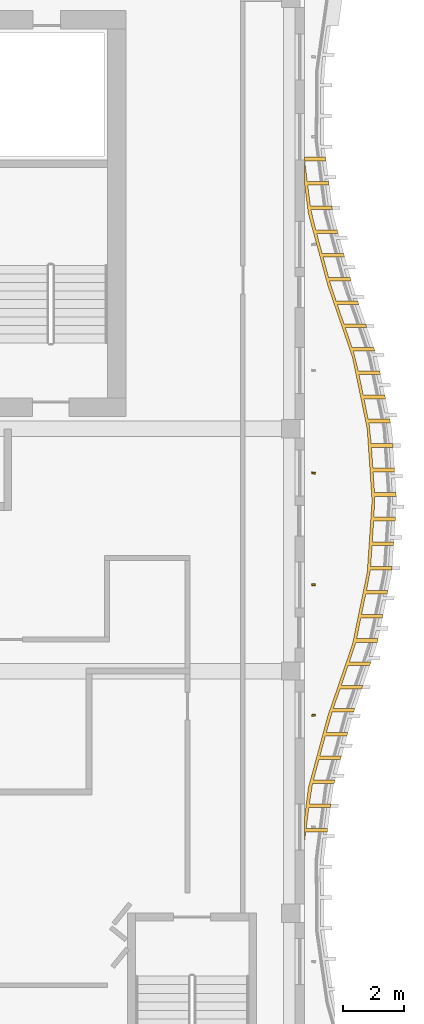
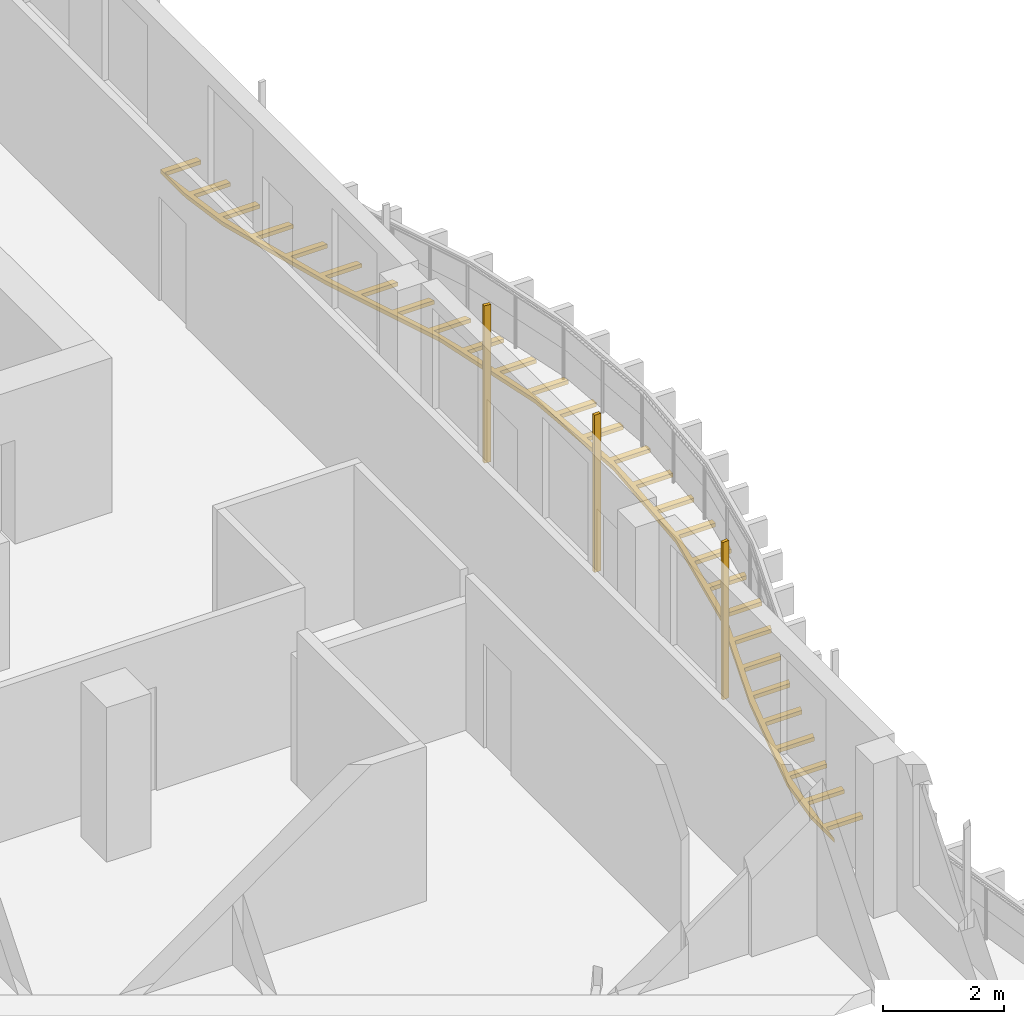
# One storey, part 15 of 17: 4 shading devices.
"""IFC4 building model written with IfcOpenShell, lengths in metres."""

from ifc_helpers import new_model, si_unit, direction, frame, origin, origin_2d, place, context, subcontext, project, spatial, polyline, rectangle, outline, extrude, source, transform, mapped, material, layer, layer_set, material_profile, profile_set, type_object, element, save


model = new_model("IFC4")

# Units and contexts
model_context = context("Model", 3, precision=1e-05, world=origin(), true_north=direction((0.0, 1.0)))
body_context = subcontext(model_context, "Body", "Model", "MODEL_VIEW")
ifc_project = project(units=[si_unit("LENGTHUNIT", "METRE"), si_unit("AREAUNIT", "SQUARE_METRE"), si_unit("VOLUMEUNIT", "CUBIC_METRE"), si_unit("PLANEANGLEUNIT", "RADIAN"), si_unit("MASSUNIT", "GRAM", prefix="KILO")], contexts=[model_context])

# Site, building, storey
site_placement = place(None, origin())
site = spatial("IfcSite", under=ifc_project, at=site_placement, CompositionType="ELEMENT")
building_placement = place(site_placement, origin())
building = spatial("IfcBuilding", under=site, at=building_placement, Name="Kilnfold Tower and Market Hall", CompositionType="ELEMENT")
storey_placement = place(building_placement, frame((0.0, 0.0, 305.199951171875)))
storey = spatial("IfcBuildingStorey", under=building, at=storey_placement, Name="L76", CompositionType="ELEMENT", Elevation=305.199951171875)

# Shading devices
ifc_material_1 = material(Name="Terracotta", Category="masonry")
ifc_material_profile = material_profile(ifc_material_1, rectangle(XDim=0.06005859375, YDim=0.1201171875, at=origin_2d()), Name="BAG 60x120")
ifc_profile_set = profile_set([ifc_material_profile], Name="Terracotta")
shading_device_type_1 = type_object("IfcShadingDeviceType", Name="BAGUETTE", PredefinedType="USERDEFINED", material=ifc_profile_set)
shared_shape_1 = source(origin(), body_context, "Body", "SweptSolid", [
    extrude(rectangle(XDim=0.06005859375, YDim=0.1201171875, at=origin_2d()), origin(), (0.0, 0.0, 1.0), 3.179931640625),
])
for number, where, z_axis, x_axis, name in (
    (1, (23.800048828125, -1.3125, 0.0), (0.0, 0.0, 1.0), (-0.126867251296, 0.991919704688, 0.0), "Terracotta baguette L76 E"),
    (2, (23.800048828125, 2.925048828125, 0.0), (0.0, 0.0, 1.0), (-0.013093085931, 0.999914281877, 0.0), "Terracotta baguette L76 E"),
    (3, (23.800048828125, 6.5625, 0.0), (0.0, 0.0, 1.0), (0.139102238507, 0.990278025224, 0.0), "Terracotta baguette L76 E"),
):
    element("IfcShadingDevice", number, at=place(storey_placement, frame(where, z_axis=z_axis, x_axis=x_axis)), inside=storey, type_object=shading_device_type_1, Name=name, ObjectType="BAGUETTE", PredefinedType="USERDEFINED", context=body_context, shape_type="MappedRepresentation", body=[
        mapped(shared_shape_1, transform((0.0, 0.0, 0.0))),
    ])
ifc_material_2 = material(Name="Bronze anodised aluminium", Category="aluminium")
ifc_layer = layer(ifc_material_2, 0.080078125)
ifc_layer_set = layer_set([ifc_layer], Name="Bronze anodised aluminium")
shading_device_type_2 = type_object("IfcShadingDeviceType", Name="BRONZE SLAT SOFFIT 80", PredefinedType="USERDEFINED", material=ifc_layer_set)
shared_shape_2 = source(origin(), body_context, "Body", "SweptSolid", [
    extrude(outline(polyline([(23.630615234375, -3.666748046875), (24.262939453125, -1.333251953125), (25.064453125, 1.0), (25.543701171875, 3.333251953125), (25.699951171875, 5.666748046875), (25.54248046875, 8.0), (25.06201171875, 10.333251953125), (24.260009765625, 12.666748046875), (23.62890625, 15.0), (23.5, 16.009521484375), (23.5, 16.837646484375), (24.194091796875, 16.837646484375), (24.20947265625, 16.718505859375), (23.509521484375, 16.718505859375), (23.595703125, 16.044189453125), (24.295654296875, 16.044189453125), (24.306884765625, 15.95458984375), (24.310791015625, 15.925048828125), (23.61083984375, 15.925048828125), (23.697021484375, 15.25048828125), (24.39697265625, 15.25048828125), (24.412109375, 15.131591796875), (23.712158203125, 15.131591796875), (23.871826171875, 14.471435546875), (24.572021484375, 14.471435546875), (24.603271484375, 14.355712890625), (23.9033203125, 14.355712890625), (24.080810546875, 13.69921875), (24.78076171875, 13.69921875), (24.81201171875, 13.58349609375), (24.112060546875, 13.58349609375), (24.28955078125, 12.927001953125), (24.989501953125, 12.927001953125), (25.020751953125, 12.811279296875), (24.32080078125, 12.811279296875), (24.5322265625, 12.165283203125), (25.232421875, 12.165283203125), (25.271240234375, 12.0517578125), (24.5712890625, 12.0517578125), (24.79248046875, 11.40869140625), (25.492431640625, 11.40869140625), (25.531494140625, 11.295166015625), (24.831298828125, 11.295166015625), (25.052490234375, 10.652099609375), (25.75244140625, 10.652099609375), (25.79150390625, 10.53857421875), (25.091552734375, 10.53857421875), (25.25537109375, 9.8798828125), (25.955322265625, 9.8798828125), (25.9794921875, 9.762451171875), (25.279541015625, 9.762451171875), (25.416748046875, 9.09619140625), (26.11669921875, 9.09619140625), (26.140869140625, 8.978759765625), (25.44091796875, 8.978759765625), (25.577880859375, 8.312744140625), (26.278076171875, 8.312744140625), (26.30224609375, 8.1953125), (25.602294921875, 8.1953125), (25.6748046875, 7.5205078125), (26.374755859375, 7.5205078125), (26.3828125, 7.400634765625), (25.682861328125, 7.400634765625), (25.728759765625, 6.72216796875), (26.4287109375, 6.72216796875), (26.436767578125, 6.6025390625), (25.73681640625, 6.6025390625), (25.78271484375, 5.924072265625), (26.482666015625, 5.924072265625), (26.49072265625, 5.80419921875), (25.790771484375, 5.80419921875), (25.763671875, 5.1259765625), (26.463623046875, 5.1259765625), (26.455810546875, 5.006103515625), (25.755615234375, 5.006103515625), (25.710205078125, 4.32763671875), (26.41015625, 4.32763671875), (26.402099609375, 4.2080078125), (25.7021484375, 4.2080078125), (25.65673828125, 3.529296875), (26.356689453125, 3.529296875), (26.3486328125, 3.40966796875), (25.648681640625, 3.40966796875), (25.522216796875, 2.7421875), (26.22216796875, 2.7421875), (26.197998046875, 2.624755859375), (25.498046875, 2.624755859375), (25.361328125, 1.95849609375), (26.061279296875, 1.95849609375), (26.037109375, 1.841064453125), (25.337158203125, 1.841064453125), (25.200439453125, 1.1748046875), (25.900390625, 1.1748046875), (25.876220703125, 1.057373046875), (25.17626953125, 1.057373046875), (24.962646484375, 0.412353515625), (25.66259765625, 0.412353515625), (25.62353515625, 0.298828125), (24.923583984375, 0.298828125), (24.70263671875, -0.34423828125), (25.402587890625, -0.34423828125), (25.36376953125, -0.457763671875), (24.663818359375, -0.457763671875), (24.442626953125, -1.100830078125), (25.142578125, -1.100830078125), (25.103759765625, -1.21435546875), (24.40380859375, -1.21435546875), (24.218017578125, -1.868408203125), (24.91796875, -1.868408203125), (24.88671875, -1.984130859375), (24.1865234375, -1.984130859375), (24.0087890625, -2.640380859375), (24.708740234375, -2.640380859375), (24.677490234375, -2.75634765625), (23.977294921875, -2.75634765625), (23.799560546875, -3.41259765625), (24.49951171875, -3.41259765625), (24.46826171875, -3.528564453125), (23.768310546875, -3.528564453125), (23.662353515625, -4.19921875), (24.3623046875, -4.19921875), (24.34716796875, -4.318115234375), (23.647216796875, -4.318115234375), (23.560546875, -4.99267578125), (24.260498046875, -4.99267578125), (24.245361328125, -5.111572265625), (23.54541015625, -5.111572265625), (23.5, -5.465087890625), (23.5, -4.685546875), (23.630615234375, -3.666748046875)])), origin(), (0.0, 0.0, 1.0), 0.080078125),
])
shading_device_placement = place(storey_placement, frame((0.0, 0.0, -0.300048828125)))
element("IfcShadingDevice", 4, at=shading_device_placement, inside=storey, type_object=shading_device_type_2, Name="Balcony soffit slats L76", ObjectType="SLAT", PredefinedType="USERDEFINED", context=body_context, shape_type="MappedRepresentation", body=[
    mapped(shared_shape_2, transform((0.0, 0.0, 0.0))),
])

save(model, "model.ifc")
